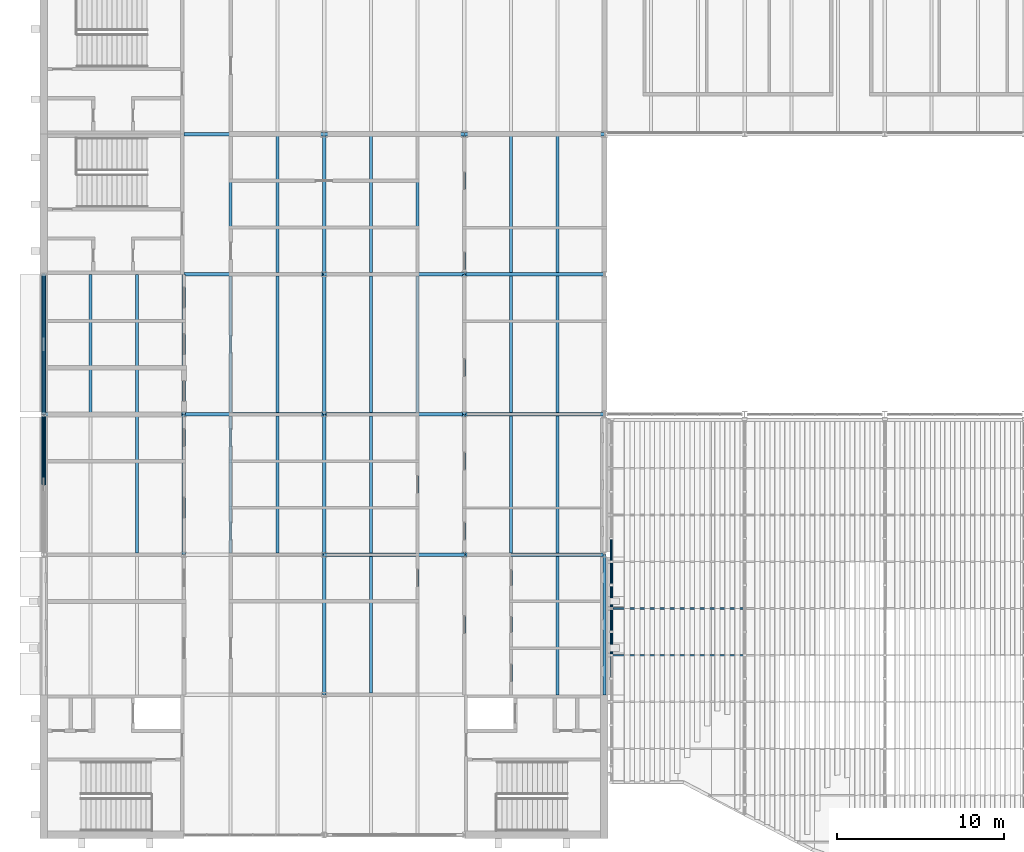
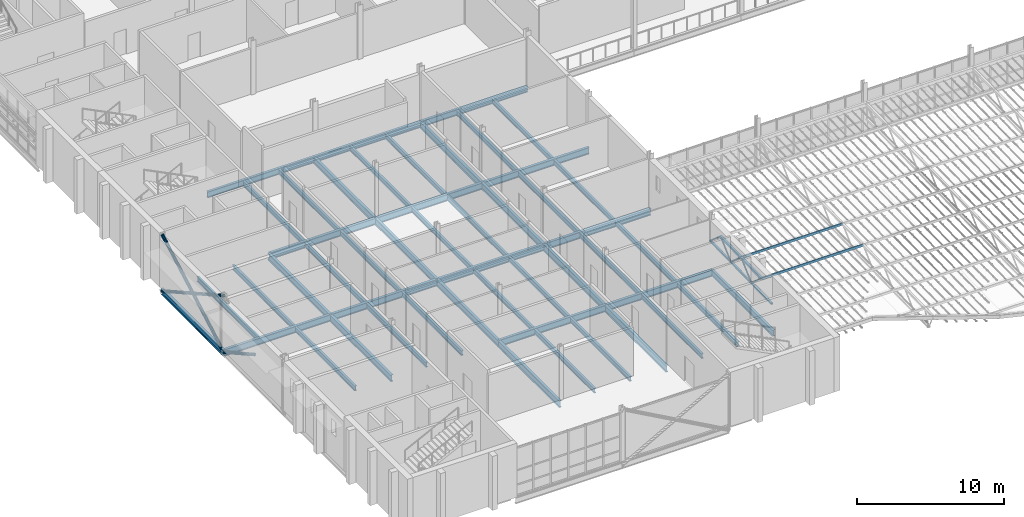
# One storey, part 16 of 129: 49 beams, 16 members.
"""IFC4 building model written with IfcOpenShell, lengths in metres."""

from ifc_helpers import new_model, si_unit, direction, frame, origin, origin_2d, place, context, subcontext, project, spatial, hollow_rectangle, hollow_circle, i_section, extrude, material, material_profile, profile_set, type_object, element, save


model = new_model("IFC4")

# Units and contexts
model_context = context("Model", 3, precision=1e-05, world=origin(), true_north=direction((0.0, 1.0)))
body_context = subcontext(model_context, "Body", "Model", "MODEL_VIEW")
ifc_project = project(units=[si_unit("LENGTHUNIT", "METRE"), si_unit("AREAUNIT", "SQUARE_METRE"), si_unit("VOLUMEUNIT", "CUBIC_METRE"), si_unit("PLANEANGLEUNIT", "RADIAN"), si_unit("MASSUNIT", "GRAM", prefix="KILO")], contexts=[model_context])

# Site, building, storey
site_placement = place(None, origin())
site = spatial("IfcSite", under=ifc_project, at=site_placement, CompositionType="ELEMENT")
building_placement = place(site_placement, origin())
building = spatial("IfcBuilding", under=site, at=building_placement, Name="Ardhachandra Cancer Care Centre", CompositionType="ELEMENT")
storey_placement = place(building_placement, frame((0.0, 0.0, 4.5)))
storey = spatial("IfcBuildingStorey", under=building, at=storey_placement, Name="L01", CompositionType="ELEMENT", Elevation=4.5)

# Beams
ifc_material_1 = material(Name="Steel E350 (IS 2062)", Category="steel")
ifc_material_profile_1 = material_profile(ifc_material_1, i_section(OverallWidth=0.179931640625, OverallDepth=0.39990234375, WebThickness=0.008544921875, FlangeThickness=0.013427734375, FilletRadius=0.02099609375, at=origin_2d()), Name="NPB 400x180x66.30")
ifc_profile_set_1 = profile_set([ifc_material_profile_1], Name="Steel E350 (IS 2062)")
beam_type_1 = type_object("IfcBeamType", Name="Beam NPB 400x180x66.30", PredefinedType="BEAM", material=ifc_profile_set_1)
beam_1_placement = place(storey_placement, frame((13.60009765625, 54.705078125, -0.35009765625), z_axis=(0.0, 1.0, 0.0), x_axis=(-1.0, 0.0, 0.0)))
element("IfcBeam", 1, at=beam_1_placement, inside=storey, type_object=beam_type_1, Name="Secondary F1-G1@2800", PredefinedType="BEAM", context=body_context, shape_type="SweptSolid", body=[
    extrude(i_section(OverallWidth=0.179931640625, OverallDepth=0.39990234375, WebThickness=0.008544921875, FlangeThickness=0.013427734375, FilletRadius=0.02099609375, at=origin_2d()), origin(), (0.0, 0.0, 1.0), 8.294921875),
])
beam_2_placement = place(storey_placement, frame((16.39990234375, 46.304931640625, -0.35009765625), z_axis=(0.0, 1.0, 0.0), x_axis=(-1.0, 0.0, 0.0)))
element("IfcBeam", 2, at=beam_2_placement, inside=storey, type_object=beam_type_1, Name="Secondary E1-F1@5600", PredefinedType="BEAM", context=body_context, shape_type="SweptSolid", body=[
    extrude(i_section(OverallWidth=0.179931640625, OverallDepth=0.39990234375, WebThickness=0.008544921875, FlangeThickness=0.013427734375, FilletRadius=0.02099609375, at=origin_2d()), origin(), (0.0, 0.0, 1.0), 8.190185546875),
])
beam_3_placement = place(storey_placement, frame((16.39990234375, 54.705078125, -0.35009765625), z_axis=(0.0, 1.0, 0.0), x_axis=(-1.0, 0.0, 0.0)))
element("IfcBeam", 3, at=beam_3_placement, inside=storey, type_object=beam_type_1, Name="Secondary F1-G1@5600", PredefinedType="BEAM", context=body_context, shape_type="SweptSolid", body=[
    extrude(i_section(OverallWidth=0.179931640625, OverallDepth=0.39990234375, WebThickness=0.008544921875, FlangeThickness=0.013427734375, FilletRadius=0.02099609375, at=origin_2d()), origin(), (0.0, 0.0, 1.0), 8.294921875),
])
beam_4_placement = place(storey_placement, frame((22.0, 46.304931640625, -0.35009765625), z_axis=(0.0, 1.0, 0.0), x_axis=(-1.0, 0.0, 0.0)))
element("IfcBeam", 4, at=beam_4_placement, inside=storey, type_object=beam_type_1, Name="Secondary E2-F2@2800", PredefinedType="BEAM", context=body_context, shape_type="SweptSolid", body=[
    extrude(i_section(OverallWidth=0.179931640625, OverallDepth=0.39990234375, WebThickness=0.008544921875, FlangeThickness=0.013427734375, FilletRadius=0.02099609375, at=origin_2d()), origin(), (0.0, 0.0, 1.0), 8.190185546875),
])
beam_5_placement = place(storey_placement, frame((22.0, 54.705078125, -0.35009765625), z_axis=(0.0, 1.0, 0.0), x_axis=(-1.0, 0.0, 0.0)))
element("IfcBeam", 5, at=beam_5_placement, inside=storey, type_object=beam_type_1, Name="Secondary F2-G2@2800", PredefinedType="BEAM", context=body_context, shape_type="SweptSolid", body=[
    extrude(i_section(OverallWidth=0.179931640625, OverallDepth=0.39990234375, WebThickness=0.008544921875, FlangeThickness=0.013427734375, FilletRadius=0.02099609375, at=origin_2d()), origin(), (0.0, 0.0, 1.0), 8.18994140625),
])
beam_6_placement = place(storey_placement, frame((22.0, 63.10498046875, -0.35009765625), z_axis=(0.0, 1.0, 0.0), x_axis=(-1.0, 0.0, 0.0)))
element("IfcBeam", 6, at=beam_6_placement, inside=storey, type_object=beam_type_1, Name="Secondary G2-H2@2800", PredefinedType="BEAM", context=body_context, shape_type="SweptSolid", body=[
    extrude(i_section(OverallWidth=0.179931640625, OverallDepth=0.39990234375, WebThickness=0.008544921875, FlangeThickness=0.013427734375, FilletRadius=0.02099609375, at=origin_2d()), origin(), (0.0, 0.0, 1.0), 8.195068359375),
])
beam_7_placement = place(storey_placement, frame((24.800048828125, 46.304931640625, -0.35009765625), z_axis=(0.0, 1.0, 0.0), x_axis=(-1.0, 0.0, 0.0)))
element("IfcBeam", 7, at=beam_7_placement, inside=storey, type_object=beam_type_1, Name="Secondary E2-F2@5600", PredefinedType="BEAM", context=body_context, shape_type="SweptSolid", body=[
    extrude(i_section(OverallWidth=0.179931640625, OverallDepth=0.39990234375, WebThickness=0.008544921875, FlangeThickness=0.013427734375, FilletRadius=0.02099609375, at=origin_2d()), origin(), (0.0, 0.0, 1.0), 8.190185546875),
])
beam_8_placement = place(storey_placement, frame((24.800048828125, 54.705078125, -0.35009765625), z_axis=(0.0, 1.0, 0.0), x_axis=(-1.0, 0.0, 0.0)))
element("IfcBeam", 8, at=beam_8_placement, inside=storey, type_object=beam_type_1, Name="Secondary F2-G2@5600", PredefinedType="BEAM", context=body_context, shape_type="SweptSolid", body=[
    extrude(i_section(OverallWidth=0.179931640625, OverallDepth=0.39990234375, WebThickness=0.008544921875, FlangeThickness=0.013427734375, FilletRadius=0.02099609375, at=origin_2d()), origin(), (0.0, 0.0, 1.0), 8.18994140625),
])
beam_9_placement = place(storey_placement, frame((24.800048828125, 63.10498046875, -0.35009765625), z_axis=(0.0, 1.0, 0.0), x_axis=(-1.0, 0.0, 0.0)))
element("IfcBeam", 9, at=beam_9_placement, inside=storey, type_object=beam_type_1, Name="Secondary G2-H2@5600", PredefinedType="BEAM", context=body_context, shape_type="SweptSolid", body=[
    extrude(i_section(OverallWidth=0.179931640625, OverallDepth=0.39990234375, WebThickness=0.008544921875, FlangeThickness=0.013427734375, FilletRadius=0.02099609375, at=origin_2d()), origin(), (0.0, 0.0, 1.0), 8.195068359375),
])
beam_10_placement = place(storey_placement, frame((30.39990234375, 37.905029296875, -0.35009765625), z_axis=(0.0, 1.0, 0.0), x_axis=(-1.0, 0.0, 0.0)))
element("IfcBeam", 10, at=beam_10_placement, inside=storey, type_object=beam_type_1, Name="Secondary D3-E3@2800", PredefinedType="BEAM", context=body_context, shape_type="SweptSolid", body=[
    extrude(i_section(OverallWidth=0.179931640625, OverallDepth=0.39990234375, WebThickness=0.008544921875, FlangeThickness=0.013427734375, FilletRadius=0.02099609375, at=origin_2d()), origin(), (0.0, 0.0, 1.0), 8.18994140625),
])
beam_11_placement = place(storey_placement, frame((30.39990234375, 46.304931640625, -0.35009765625), z_axis=(0.0, 1.0, 0.0), x_axis=(-1.0, 0.0, 0.0)))
element("IfcBeam", 11, at=beam_11_placement, inside=storey, type_object=beam_type_1, Name="Secondary E3-F3@2800", PredefinedType="BEAM", context=body_context, shape_type="SweptSolid", body=[
    extrude(i_section(OverallWidth=0.179931640625, OverallDepth=0.39990234375, WebThickness=0.008544921875, FlangeThickness=0.013427734375, FilletRadius=0.02099609375, at=origin_2d()), origin(), (0.0, 0.0, 1.0), 8.190185546875),
])
beam_12_placement = place(storey_placement, frame((30.39990234375, 54.705078125, -0.35009765625), z_axis=(0.0, 1.0, 0.0), x_axis=(-1.0, 0.0, 0.0)))
element("IfcBeam", 12, at=beam_12_placement, inside=storey, type_object=beam_type_1, Name="Secondary F3-G3@2800", PredefinedType="BEAM", context=body_context, shape_type="SweptSolid", body=[
    extrude(i_section(OverallWidth=0.179931640625, OverallDepth=0.39990234375, WebThickness=0.008544921875, FlangeThickness=0.013427734375, FilletRadius=0.02099609375, at=origin_2d()), origin(), (0.0, 0.0, 1.0), 8.18994140625),
])
beam_13_placement = place(storey_placement, frame((30.39990234375, 63.10498046875, -0.35009765625), z_axis=(0.0, 1.0, 0.0), x_axis=(-1.0, 0.0, 0.0)))
element("IfcBeam", 13, at=beam_13_placement, inside=storey, type_object=beam_type_1, Name="Secondary G3-H3@2800", PredefinedType="BEAM", context=body_context, shape_type="SweptSolid", body=[
    extrude(i_section(OverallWidth=0.179931640625, OverallDepth=0.39990234375, WebThickness=0.008544921875, FlangeThickness=0.013427734375, FilletRadius=0.02099609375, at=origin_2d()), origin(), (0.0, 0.0, 1.0), 8.195068359375),
])
beam_14_placement = place(storey_placement, frame((33.199951171875, 37.905029296875, -0.35009765625), z_axis=(0.0, 1.0, 0.0), x_axis=(-1.0, 0.0, 0.0)))
element("IfcBeam", 14, at=beam_14_placement, inside=storey, type_object=beam_type_1, Name="Secondary D3-E3@5600", PredefinedType="BEAM", context=body_context, shape_type="SweptSolid", body=[
    extrude(i_section(OverallWidth=0.179931640625, OverallDepth=0.39990234375, WebThickness=0.008544921875, FlangeThickness=0.013427734375, FilletRadius=0.02099609375, at=origin_2d()), origin(), (0.0, 0.0, 1.0), 8.18994140625),
])
beam_15_placement = place(storey_placement, frame((33.199951171875, 46.304931640625, -0.35009765625), z_axis=(0.0, 1.0, 0.0), x_axis=(-1.0, 0.0, 0.0)))
element("IfcBeam", 15, at=beam_15_placement, inside=storey, type_object=beam_type_1, Name="Secondary E3-F3@5600", PredefinedType="BEAM", context=body_context, shape_type="SweptSolid", body=[
    extrude(i_section(OverallWidth=0.179931640625, OverallDepth=0.39990234375, WebThickness=0.008544921875, FlangeThickness=0.013427734375, FilletRadius=0.02099609375, at=origin_2d()), origin(), (0.0, 0.0, 1.0), 8.190185546875),
])
beam_16_placement = place(storey_placement, frame((33.199951171875, 54.705078125, -0.35009765625), z_axis=(0.0, 1.0, 0.0), x_axis=(-1.0, 0.0, 0.0)))
element("IfcBeam", 16, at=beam_16_placement, inside=storey, type_object=beam_type_1, Name="Secondary F3-G3@5600", PredefinedType="BEAM", context=body_context, shape_type="SweptSolid", body=[
    extrude(i_section(OverallWidth=0.179931640625, OverallDepth=0.39990234375, WebThickness=0.008544921875, FlangeThickness=0.013427734375, FilletRadius=0.02099609375, at=origin_2d()), origin(), (0.0, 0.0, 1.0), 8.18994140625),
])
beam_17_placement = place(storey_placement, frame((33.199951171875, 63.10498046875, -0.35009765625), z_axis=(0.0, 1.0, 0.0), x_axis=(-1.0, 0.0, 0.0)))
element("IfcBeam", 17, at=beam_17_placement, inside=storey, type_object=beam_type_1, Name="Secondary G3-H3@5600", PredefinedType="BEAM", context=body_context, shape_type="SweptSolid", body=[
    extrude(i_section(OverallWidth=0.179931640625, OverallDepth=0.39990234375, WebThickness=0.008544921875, FlangeThickness=0.013427734375, FilletRadius=0.02099609375, at=origin_2d()), origin(), (0.0, 0.0, 1.0), 8.195068359375),
])
beam_18_placement = place(storey_placement, frame((38.800048828125, 37.800048828125, -0.35009765625), z_axis=(0.0, 1.0, 0.0), x_axis=(-1.0, 0.0, 0.0)))
element("IfcBeam", 18, at=beam_18_placement, inside=storey, type_object=beam_type_1, Name="Secondary D4-E4@2800", PredefinedType="BEAM", context=body_context, shape_type="SweptSolid", body=[
    extrude(i_section(OverallWidth=0.179931640625, OverallDepth=0.39990234375, WebThickness=0.008544921875, FlangeThickness=0.013427734375, FilletRadius=0.02099609375, at=origin_2d()), origin(), (0.0, 0.0, 1.0), 8.294921875),
])
beam_19_placement = place(storey_placement, frame((38.800048828125, 46.304931640625, -0.35009765625), z_axis=(0.0, 1.0, 0.0), x_axis=(-1.0, 0.0, 0.0)))
element("IfcBeam", 19, at=beam_19_placement, inside=storey, type_object=beam_type_1, Name="Secondary E4-F4@2800", PredefinedType="BEAM", context=body_context, shape_type="SweptSolid", body=[
    extrude(i_section(OverallWidth=0.179931640625, OverallDepth=0.39990234375, WebThickness=0.008544921875, FlangeThickness=0.013427734375, FilletRadius=0.02099609375, at=origin_2d()), origin(), (0.0, 0.0, 1.0), 8.190185546875),
])
beam_20_placement = place(storey_placement, frame((38.800048828125, 54.705078125, -0.35009765625), z_axis=(0.0, 1.0, 0.0), x_axis=(-1.0, 0.0, 0.0)))
element("IfcBeam", 20, at=beam_20_placement, inside=storey, type_object=beam_type_1, Name="Secondary F4-G4@2800", PredefinedType="BEAM", context=body_context, shape_type="SweptSolid", body=[
    extrude(i_section(OverallWidth=0.179931640625, OverallDepth=0.39990234375, WebThickness=0.008544921875, FlangeThickness=0.013427734375, FilletRadius=0.02099609375, at=origin_2d()), origin(), (0.0, 0.0, 1.0), 8.18994140625),
])
beam_21_placement = place(storey_placement, frame((38.800048828125, 63.10498046875, -0.35009765625), z_axis=(0.0, 1.0, 0.0), x_axis=(-1.0, 0.0, 0.0)))
element("IfcBeam", 21, at=beam_21_placement, inside=storey, type_object=beam_type_1, Name="Secondary G4-H4@2800", PredefinedType="BEAM", context=body_context, shape_type="SweptSolid", body=[
    extrude(i_section(OverallWidth=0.179931640625, OverallDepth=0.39990234375, WebThickness=0.008544921875, FlangeThickness=0.013427734375, FilletRadius=0.02099609375, at=origin_2d()), origin(), (0.0, 0.0, 1.0), 8.195068359375),
])
beam_22_placement = place(storey_placement, frame((41.60009765625, 37.800048828125, -0.35009765625), z_axis=(0.0, 1.0, 0.0), x_axis=(-1.0, 0.0, 0.0)))
element("IfcBeam", 22, at=beam_22_placement, inside=storey, type_object=beam_type_1, Name="Secondary D4-E4@5600", PredefinedType="BEAM", context=body_context, shape_type="SweptSolid", body=[
    extrude(i_section(OverallWidth=0.179931640625, OverallDepth=0.39990234375, WebThickness=0.008544921875, FlangeThickness=0.013427734375, FilletRadius=0.02099609375, at=origin_2d()), origin(), (0.0, 0.0, 1.0), 8.294921875),
])
beam_23_placement = place(storey_placement, frame((41.60009765625, 46.304931640625, -0.35009765625), z_axis=(0.0, 1.0, 0.0), x_axis=(-1.0, 0.0, 0.0)))
element("IfcBeam", 23, at=beam_23_placement, inside=storey, type_object=beam_type_1, Name="Secondary E4-F4@5600", PredefinedType="BEAM", context=body_context, shape_type="SweptSolid", body=[
    extrude(i_section(OverallWidth=0.179931640625, OverallDepth=0.39990234375, WebThickness=0.008544921875, FlangeThickness=0.013427734375, FilletRadius=0.02099609375, at=origin_2d()), origin(), (0.0, 0.0, 1.0), 8.190185546875),
])
beam_24_placement = place(storey_placement, frame((41.60009765625, 54.705078125, -0.35009765625), z_axis=(0.0, 1.0, 0.0), x_axis=(-1.0, 0.0, 0.0)))
element("IfcBeam", 24, at=beam_24_placement, inside=storey, type_object=beam_type_1, Name="Secondary F4-G4@5600", PredefinedType="BEAM", context=body_context, shape_type="SweptSolid", body=[
    extrude(i_section(OverallWidth=0.179931640625, OverallDepth=0.39990234375, WebThickness=0.008544921875, FlangeThickness=0.013427734375, FilletRadius=0.02099609375, at=origin_2d()), origin(), (0.0, 0.0, 1.0), 8.18994140625),
])
beam_25_placement = place(storey_placement, frame((41.60009765625, 63.10498046875, -0.35009765625), z_axis=(0.0, 1.0, 0.0), x_axis=(-1.0, 0.0, 0.0)))
element("IfcBeam", 25, at=beam_25_placement, inside=storey, type_object=beam_type_1, Name="Secondary G4-H4@5600", PredefinedType="BEAM", context=body_context, shape_type="SweptSolid", body=[
    extrude(i_section(OverallWidth=0.179931640625, OverallDepth=0.39990234375, WebThickness=0.008544921875, FlangeThickness=0.013427734375, FilletRadius=0.02099609375, at=origin_2d()), origin(), (0.0, 0.0, 1.0), 8.195068359375),
])
ifc_material_2 = material(Name="Steel E350 (IS 2062)", Category="steel")
ifc_material_profile_2 = material_profile(ifc_material_2, i_section(OverallWidth=0.199951171875, OverallDepth=0.5, WebThickness=0.01025390625, FlangeThickness=0.01611328125, FilletRadius=0.02099609375, at=origin_2d()), Name="NPB 500x200x90.68")
ifc_profile_set_2 = profile_set([ifc_material_profile_2], Name="Steel E350 (IS 2062)")
beam_type_2 = type_object("IfcBeamType", Name="Beam NPB 500x200x90.68", PredefinedType="BEAM", material=ifc_profile_set_2)
beam_26_placement = place(storey_placement, frame((19.199951171875, 71.39990234375, -0.39990234375), z_axis=(1.0, 0.0, 0.0), x_axis=(0.0, 1.0, 0.0)))
element("IfcBeam", 26, at=beam_26_placement, inside=storey, type_object=beam_type_2, Name="Edge girder H2-H3", PredefinedType="BEAM", context=body_context, shape_type="SweptSolid", body=[
    extrude(i_section(OverallWidth=0.199951171875, OverallDepth=0.5, WebThickness=0.01025390625, FlangeThickness=0.01611328125, FilletRadius=0.02099609375, at=origin_2d()), origin(), (0.0, 0.0, 1.0), 8.400146484375),
])
for number, where, z_axis, x_axis, name in (
    (27, (27.60009765625, 71.39990234375, -0.39990234375), (1.0, 0.0, 0.0), (0.0, 1.0, 0.0), "Edge girder H3-H4"),
    (28, (36.0, 71.39990234375, -0.39990234375), (1.0, 0.0, 0.0), (0.0, 1.0, 0.0), "Edge girder H4-H5"),
    (29, (10.800048828125, 54.60009765625, -0.39990234375), (0.0, 1.0, 0.0), (-1.0, 0.0, 0.0), "Edge girder F1-G1"),
    (30, (44.39990234375, 37.800048828125, -0.39990234375), (0.0, 1.0, 0.0), (-1.0, 0.0, 0.0), "Edge girder D5-E5"),
):
    element("IfcBeam", number, at=place(storey_placement, frame(where, z_axis=z_axis, x_axis=x_axis)), inside=storey, type_object=beam_type_2, Name=name, PredefinedType="BEAM", context=body_context, shape_type="SweptSolid", body=[
        extrude(i_section(OverallWidth=0.199951171875, OverallDepth=0.5, WebThickness=0.01025390625, FlangeThickness=0.01611328125, FilletRadius=0.02099609375, at=origin_2d()), origin(), (0.0, 0.0, 1.0), 8.39990234375),
    ])
ifc_material_3 = material(Name="Steel E350 (IS 2062)", Category="steel")
ifc_material_profile_3 = material_profile(ifc_material_3, i_section(OverallWidth=0.2099609375, OverallDepth=0.550048828125, WebThickness=0.010986328125, FlangeThickness=0.01708984375, FilletRadius=0.02392578125, at=origin_2d()), Name="NPB 550x210x105.52")
ifc_profile_set_3 = profile_set([ifc_material_profile_3], Name="Steel E350 (IS 2062)")
beam_type_3 = type_object("IfcBeamType", Name="Beam NPB 550x210x105.52", PredefinedType="BEAM", material=ifc_profile_set_3)
for number, where, z_axis, x_axis, name in (
    (31, (27.60009765625, 46.199951171875, -0.425048828125), (1.0, 0.0, 0.0), (0.0, 1.0, 0.0), "Girder E3-E4"),
    (32, (36.0, 46.199951171875, -0.425048828125), (1.0, 0.0, 0.0), (0.0, 1.0, 0.0), "Girder E4-E5"),
    (33, (10.800048828125, 54.60009765625, -0.425048828125), (1.0, 0.0, 0.0), (0.0, 1.0, 0.0), "Girder F1-F2"),
):
    element("IfcBeam", number, at=place(storey_placement, frame(where, z_axis=z_axis, x_axis=x_axis)), inside=storey, type_object=beam_type_3, Name=name, PredefinedType="BEAM", context=body_context, shape_type="SweptSolid", body=[
        extrude(i_section(OverallWidth=0.2099609375, OverallDepth=0.550048828125, WebThickness=0.010986328125, FlangeThickness=0.01708984375, FilletRadius=0.02392578125, at=origin_2d()), origin(), (0.0, 0.0, 1.0), 8.39990234375),
    ])
beam_27_placement = place(storey_placement, frame((19.199951171875, 54.60009765625, -0.425048828125), z_axis=(1.0, 0.0, 0.0), x_axis=(0.0, 1.0, 0.0)))
element("IfcBeam", 34, at=beam_27_placement, inside=storey, type_object=beam_type_3, Name="Girder F2-F3", PredefinedType="BEAM", context=body_context, shape_type="SweptSolid", body=[
    extrude(i_section(OverallWidth=0.2099609375, OverallDepth=0.550048828125, WebThickness=0.010986328125, FlangeThickness=0.01708984375, FilletRadius=0.02392578125, at=origin_2d()), origin(), (0.0, 0.0, 1.0), 8.400146484375),
])
for number, where, z_axis, x_axis, name in (
    (35, (27.60009765625, 54.60009765625, -0.425048828125), (1.0, 0.0, 0.0), (0.0, 1.0, 0.0), "Girder F3-F4"),
    (36, (36.0, 54.60009765625, -0.425048828125), (1.0, 0.0, 0.0), (0.0, 1.0, 0.0), "Girder F4-F5"),
):
    element("IfcBeam", number, at=place(storey_placement, frame(where, z_axis=z_axis, x_axis=x_axis)), inside=storey, type_object=beam_type_3, Name=name, PredefinedType="BEAM", context=body_context, shape_type="SweptSolid", body=[
        extrude(i_section(OverallWidth=0.2099609375, OverallDepth=0.550048828125, WebThickness=0.010986328125, FlangeThickness=0.01708984375, FilletRadius=0.02392578125, at=origin_2d()), origin(), (0.0, 0.0, 1.0), 8.39990234375),
    ])
beam_28_placement = place(storey_placement, frame((19.199951171875, 63.0, -0.425048828125), z_axis=(1.0, 0.0, 0.0), x_axis=(0.0, 1.0, 0.0)))
element("IfcBeam", 37, at=beam_28_placement, inside=storey, type_object=beam_type_3, Name="Girder G2-G3", PredefinedType="BEAM", context=body_context, shape_type="SweptSolid", body=[
    extrude(i_section(OverallWidth=0.2099609375, OverallDepth=0.550048828125, WebThickness=0.010986328125, FlangeThickness=0.01708984375, FilletRadius=0.02392578125, at=origin_2d()), origin(), (0.0, 0.0, 1.0), 8.400146484375),
])
for number, where, z_axis, x_axis, name in (
    (38, (27.60009765625, 63.0, -0.425048828125), (1.0, 0.0, 0.0), (0.0, 1.0, 0.0), "Girder G3-G4"),
    (39, (36.0, 63.0, -0.425048828125), (1.0, 0.0, 0.0), (0.0, 1.0, 0.0), "Girder G4-G5"),
):
    element("IfcBeam", number, at=place(storey_placement, frame(where, z_axis=z_axis, x_axis=x_axis)), inside=storey, type_object=beam_type_3, Name=name, PredefinedType="BEAM", context=body_context, shape_type="SweptSolid", body=[
        extrude(i_section(OverallWidth=0.2099609375, OverallDepth=0.550048828125, WebThickness=0.010986328125, FlangeThickness=0.01708984375, FilletRadius=0.02392578125, at=origin_2d()), origin(), (0.0, 0.0, 1.0), 8.39990234375),
    ])
beam_29_placement = place(storey_placement, frame((19.199951171875, 46.199951171875, -0.425048828125), z_axis=(0.0, 1.0, 0.0), x_axis=(-1.0, 0.0, 0.0)))
element("IfcBeam", 40, at=beam_29_placement, inside=storey, type_object=beam_type_3, Name="Girder E2-F2", PredefinedType="BEAM", context=body_context, shape_type="SweptSolid", body=[
    extrude(i_section(OverallWidth=0.2099609375, OverallDepth=0.550048828125, WebThickness=0.010986328125, FlangeThickness=0.01708984375, FilletRadius=0.02392578125, at=origin_2d()), origin(), (0.0, 0.0, 1.0), 8.400146484375),
])
for number, where, z_axis, x_axis, name in (
    (41, (19.199951171875, 54.60009765625, -0.425048828125), (0.0, 1.0, 0.0), (-1.0, 0.0, 0.0), "Girder F2-G2"),
    (42, (27.60009765625, 37.800048828125, -0.425048828125), (0.0, 1.0, 0.0), (-1.0, 0.0, 0.0), "Girder D3-E3"),
):
    element("IfcBeam", number, at=place(storey_placement, frame(where, z_axis=z_axis, x_axis=x_axis)), inside=storey, type_object=beam_type_3, Name=name, PredefinedType="BEAM", context=body_context, shape_type="SweptSolid", body=[
        extrude(i_section(OverallWidth=0.2099609375, OverallDepth=0.550048828125, WebThickness=0.010986328125, FlangeThickness=0.01708984375, FilletRadius=0.02392578125, at=origin_2d()), origin(), (0.0, 0.0, 1.0), 8.39990234375),
    ])
beam_30_placement = place(storey_placement, frame((27.60009765625, 46.199951171875, -0.425048828125), z_axis=(0.0, 1.0, 0.0), x_axis=(-1.0, 0.0, 0.0)))
element("IfcBeam", 43, at=beam_30_placement, inside=storey, type_object=beam_type_3, Name="Girder E3-F3", PredefinedType="BEAM", context=body_context, shape_type="SweptSolid", body=[
    extrude(i_section(OverallWidth=0.2099609375, OverallDepth=0.550048828125, WebThickness=0.010986328125, FlangeThickness=0.01708984375, FilletRadius=0.02392578125, at=origin_2d()), origin(), (0.0, 0.0, 1.0), 8.400146484375),
])
for number, where, z_axis, x_axis, name in (
    (44, (27.60009765625, 54.60009765625, -0.425048828125), (0.0, 1.0, 0.0), (-1.0, 0.0, 0.0), "Girder F3-G3"),
    (45, (27.60009765625, 63.0, -0.425048828125), (0.0, 1.0, 0.0), (-1.0, 0.0, 0.0), "Girder G3-H3"),
    (46, (36.0, 37.800048828125, -0.425048828125), (0.0, 1.0, 0.0), (-1.0, 0.0, 0.0), "Girder D4-E4"),
):
    element("IfcBeam", number, at=place(storey_placement, frame(where, z_axis=z_axis, x_axis=x_axis)), inside=storey, type_object=beam_type_3, Name=name, PredefinedType="BEAM", context=body_context, shape_type="SweptSolid", body=[
        extrude(i_section(OverallWidth=0.2099609375, OverallDepth=0.550048828125, WebThickness=0.010986328125, FlangeThickness=0.01708984375, FilletRadius=0.02392578125, at=origin_2d()), origin(), (0.0, 0.0, 1.0), 8.39990234375),
    ])
beam_31_placement = place(storey_placement, frame((36.0, 46.199951171875, -0.425048828125), z_axis=(0.0, 1.0, 0.0), x_axis=(-1.0, 0.0, 0.0)))
element("IfcBeam", 47, at=beam_31_placement, inside=storey, type_object=beam_type_3, Name="Girder E4-F4", PredefinedType="BEAM", context=body_context, shape_type="SweptSolid", body=[
    extrude(i_section(OverallWidth=0.2099609375, OverallDepth=0.550048828125, WebThickness=0.010986328125, FlangeThickness=0.01708984375, FilletRadius=0.02392578125, at=origin_2d()), origin(), (0.0, 0.0, 1.0), 8.400146484375),
])
for number, where, z_axis, x_axis, name in (
    (48, (36.0, 54.60009765625, -0.425048828125), (0.0, 1.0, 0.0), (-1.0, 0.0, 0.0), "Girder F4-G4"),
    (49, (36.0, 63.0, -0.425048828125), (0.0, 1.0, 0.0), (-1.0, 0.0, 0.0), "Girder G4-H4"),
):
    element("IfcBeam", number, at=place(storey_placement, frame(where, z_axis=z_axis, x_axis=x_axis)), inside=storey, type_object=beam_type_3, Name=name, PredefinedType="BEAM", context=body_context, shape_type="SweptSolid", body=[
        extrude(i_section(OverallWidth=0.2099609375, OverallDepth=0.550048828125, WebThickness=0.010986328125, FlangeThickness=0.01708984375, FilletRadius=0.02392578125, at=origin_2d()), origin(), (0.0, 0.0, 1.0), 8.39990234375),
    ])

# Members
ifc_material_4 = material(Name="Steel E350 (IS 2062)", Category="steel")
ifc_material_profile_4 = material_profile(ifc_material_4, hollow_circle(Radius=0.122314453125, WallThickness=0.010009765625, at=origin_2d()), Name="CHS 244.5x10.0")
ifc_profile_set_4 = profile_set([ifc_material_profile_4], Name="Steel E350 (IS 2062)")
member_type_1 = type_object("IfcMemberType", Name="Brace CHS 244.5x10.0", PredefinedType="BRACE", material=ifc_profile_set_4)
member_1_placement = place(storey_placement, frame((10.800048828125, 54.60009765625, -0.39990234375), z_axis=(0.0, -0.872705761291, 0.488246509674), x_axis=(1.0, 0.0, 0.0)))
element("IfcMember", 50, at=member_1_placement, inside=storey, type_object=member_type_1, Name="Brace V2-Y108-462 L01 B1", PredefinedType="BRACE", context=body_context, shape_type="SweptSolid", body=[
    extrude(hollow_circle(Radius=0.122314453125, WallThickness=0.010009765625, at=origin_2d()), origin(), (0.0, 0.0, 1.0), 4.812744140625),
])
member_2_placement = place(storey_placement, frame((10.800048828125, 54.60009765625, -0.39990234375), z_axis=(0.0, 0.872682859829, 0.488287442149), x_axis=(-1.0, 0.0, 0.0)))
element("IfcMember", 51, at=member_2_placement, inside=storey, type_object=member_type_1, Name="Brace V2-Y108-546 L01 A", PredefinedType="BRACE", context=body_context, shape_type="SweptSolid", body=[
    extrude(hollow_circle(Radius=0.122314453125, WallThickness=0.010009765625, at=origin_2d()), origin(), (0.0, 0.0, 1.0), 9.62548828125),
])
for number, where, z_axis, x_axis, name in (
    (52, (10.800048828125, 63.0, -0.39990234375), (0.0, -0.872693667971, 0.488268124991), (1.0, 0.0, 0.0), "Brace V2-Y108-546 L01 B1"),
    (53, (10.800048828125, 58.800048828125, 1.949951171875), (0.0, -0.872672051527, 0.488306758589), (1.0, 0.0, 0.0), "Brace V2-Y108-546 L01 B2"),
):
    element("IfcMember", number, at=place(storey_placement, frame(where, z_axis=z_axis, x_axis=x_axis)), inside=storey, type_object=member_type_1, Name=name, PredefinedType="BRACE", context=body_context, shape_type="SweptSolid", body=[
        extrude(hollow_circle(Radius=0.122314453125, WallThickness=0.010009765625, at=origin_2d()), origin(), (0.0, 0.0, 1.0), 4.812744140625),
    ])
ifc_material_5 = material(Name="Steel E350 (IS 2062)", Category="steel")
ifc_material_profile_5 = material_profile(ifc_material_5, hollow_rectangle(XDim=0.10009765625, YDim=0.199951171875, WallThickness=0.006103515625, InnerFilletRadius=0.006103515625, OuterFilletRadius=0.011962890625, at=origin_2d()), Name="RHS 200x100x6.0")
ifc_profile_set_5 = profile_set([ifc_material_profile_5], Name="Steel E350 (IS 2062)")
member_type_2 = type_object("IfcMemberType", Name="Canopy purlin RHS 200x100x6.0", PredefinedType="PURLIN", material=ifc_profile_set_5)
for number, where, z_axis, x_axis, name in (
    (54, (44.81494140625, 42.97509765625, 2.619384765625), (1.0, 0.0, 0.0), (0.0, 1.0, 0.0), "Canopy purlin 4-1"),
    (55, (44.81494140625, 40.175048828125, 2.5634765625), (1.0, 0.0, 0.0), (0.0, 1.0, 0.0), "Canopy purlin 5-1"),
):
    element("IfcMember", number, at=place(storey_placement, frame(where, z_axis=z_axis, x_axis=x_axis)), inside=storey, type_object=member_type_2, Name=name, PredefinedType="PURLIN", context=body_context, shape_type="SweptSolid", body=[
        extrude(hollow_rectangle(XDim=0.10009765625, YDim=0.199951171875, WallThickness=0.006103515625, InnerFilletRadius=0.006103515625, OuterFilletRadius=0.011962890625, at=origin_2d()), origin(), (0.0, 0.0, 1.0), 7.985107421875),
    ])
ifc_material_6 = material(Name="Steel E350 (IS 2062)", Category="steel")
ifc_material_profile_6 = material_profile(ifc_material_6, hollow_rectangle(XDim=0.14990234375, YDim=0.14990234375, WallThickness=0.006103515625, InnerFilletRadius=0.006103515625, OuterFilletRadius=0.011962890625, at=origin_2d()), Name="SHS 150x150x6.0")
ifc_profile_set_6 = profile_set([ifc_material_profile_6], Name="Steel E350 (IS 2062)")
member_type_3 = type_object("IfcMemberType", Name="Canopy truss bottom chord SHS 150x150x6.0", PredefinedType="CHORD", material=ifc_profile_set_6)
for number, where, z_axis, x_axis, name in (
    (56, (44.81494140625, 47.175048828125, 1.478515625), (0.0, -0.999800721691, -0.019962888244), (1.0, 0.0, 0.0), "Canopy truss 1 bottom chord BC12"),
    (57, (44.81494140625, 44.375, 1.422607421875), (0.0, -0.999798977995, -0.02005002746), (1.0, 0.0, 0.0), "Canopy truss 1 bottom chord BC13"),
    (58, (44.81494140625, 41.574951171875, 1.366455078125), (0.0, -0.999800721691, -0.019962888244), (1.0, 0.0, 0.0), "Canopy truss 1 bottom chord BC14"),
):
    element("IfcMember", number, at=place(storey_placement, frame(where, z_axis=z_axis, x_axis=x_axis)), inside=storey, type_object=member_type_3, Name=name, PredefinedType="CHORD", context=body_context, shape_type="SweptSolid", body=[
        extrude(hollow_rectangle(XDim=0.14990234375, YDim=0.14990234375, WallThickness=0.006103515625, InnerFilletRadius=0.006103515625, OuterFilletRadius=0.011962890625, at=origin_2d()), origin(), (0.0, 0.0, 1.0), 2.800537109375),
    ])
ifc_material_7 = material(Name="Steel E350 (IS 2062)", Category="steel")
ifc_material_profile_7 = material_profile(ifc_material_7, hollow_circle(Radius=0.05712890625, WallThickness=0.0048828125, at=origin_2d()), Name="CHS 114.3x5.0")
ifc_profile_set_7 = profile_set([ifc_material_profile_7], Name="Steel E350 (IS 2062)")
member_type_4 = type_object("IfcMemberType", Name="Canopy truss diagonal CHS 114.3x5.0", PredefinedType="BRACE", material=ifc_profile_set_7)
member_3_placement = place(storey_placement, frame((44.81494140625, 47.175048828125, 1.478515625), z_axis=(0.0, -0.75740770942, 0.65294223459), x_axis=(1.0, 0.0, 0.0)))
element("IfcMember", 59, at=member_3_placement, inside=storey, type_object=member_type_4, Name="Canopy truss 1 web diagonal WD23", PredefinedType="BRACE", context=body_context, shape_type="SweptSolid", body=[
    extrude(hollow_circle(Radius=0.05712890625, WallThickness=0.0048828125, at=origin_2d()), origin(), (0.0, 0.0, 1.0), 1.8486328125),
])
member_4_placement = place(storey_placement, frame((44.81494140625, 45.77490234375, 2.685546875), z_axis=(0.0, -0.742495214915, -0.669851368461), x_axis=(1.0, 0.0, 0.0)))
element("IfcMember", 60, at=member_4_placement, inside=storey, type_object=member_type_4, Name="Canopy truss 1 web diagonal WD24", PredefinedType="BRACE", context=body_context, shape_type="SweptSolid", body=[
    extrude(hollow_circle(Radius=0.05712890625, WallThickness=0.0048828125, at=origin_2d()), origin(), (0.0, 0.0, 1.0), 1.885498046875),
])
member_5_placement = place(storey_placement, frame((44.81494140625, 44.375, 1.422607421875), z_axis=(0.0, -0.757416719347, 0.652931783002), x_axis=(1.0, 0.0, 0.0)))
element("IfcMember", 61, at=member_5_placement, inside=storey, type_object=member_type_4, Name="Canopy truss 1 web diagonal WD25", PredefinedType="BRACE", context=body_context, shape_type="SweptSolid", body=[
    extrude(hollow_circle(Radius=0.05712890625, WallThickness=0.0048828125, at=origin_2d()), origin(), (0.0, 0.0, 1.0), 1.84814453125),
])
member_6_placement = place(storey_placement, frame((44.81494140625, 42.97509765625, 2.62939453125), z_axis=(0.0, -0.742553308775, -0.669786968839), x_axis=(1.0, 0.0, 0.0)))
element("IfcMember", 62, at=member_6_placement, inside=storey, type_object=member_type_4, Name="Canopy truss 1 web diagonal WD26", PredefinedType="BRACE", context=body_context, shape_type="SweptSolid", body=[
    extrude(hollow_circle(Radius=0.05712890625, WallThickness=0.0048828125, at=origin_2d()), origin(), (0.0, 0.0, 1.0), 1.885498046875),
])
member_7_placement = place(storey_placement, frame((44.81494140625, 41.574951171875, 1.366455078125), z_axis=(0.0, -0.757351396119, 0.653007551868), x_axis=(1.0, 0.0, 0.0)))
element("IfcMember", 63, at=member_7_placement, inside=storey, type_object=member_type_4, Name="Canopy truss 1 web diagonal WD27", PredefinedType="BRACE", context=body_context, shape_type="SweptSolid", body=[
    extrude(hollow_circle(Radius=0.05712890625, WallThickness=0.0048828125, at=origin_2d()), origin(), (0.0, 0.0, 1.0), 1.848388671875),
])
ifc_material_8 = material(Name="Steel E350 (IS 2062)", Category="steel")
ifc_material_profile_8 = material_profile(ifc_material_8, hollow_rectangle(XDim=0.179931640625, YDim=0.179931640625, WallThickness=0.008056640625, InnerFilletRadius=0.008056640625, OuterFilletRadius=0.01611328125, at=origin_2d()), Name="SHS 180x180x8.0")
ifc_profile_set_8 = profile_set([ifc_material_profile_8], Name="Steel E350 (IS 2062)")
member_type_5 = type_object("IfcMemberType", Name="Canopy truss top chord SHS 180x180x8.0", PredefinedType="CHORD", material=ifc_profile_set_8)
member_8_placement = place(storey_placement, frame((44.81494140625, 45.77490234375, 2.685546875), z_axis=(0.0, -0.999798942946, -0.020051775103), x_axis=(1.0, 0.0, 0.0)))
element("IfcMember", 64, at=member_8_placement, inside=storey, type_object=member_type_5, Name="Canopy truss 1 top chord TC4", PredefinedType="CHORD", context=body_context, shape_type="SweptSolid", body=[
    extrude(hollow_rectangle(XDim=0.179931640625, YDim=0.179931640625, WallThickness=0.008056640625, InnerFilletRadius=0.008056640625, OuterFilletRadius=0.01611328125, at=origin_2d()), origin(), (0.0, 0.0, 1.0), 2.80029296875),
])
member_9_placement = place(storey_placement, frame((44.81494140625, 42.97509765625, 2.62939453125), z_axis=(0.0, -0.999800721691, -0.019962888244), x_axis=(1.0, 0.0, 0.0)))
element("IfcMember", 65, at=member_9_placement, inside=storey, type_object=member_type_5, Name="Canopy truss 1 top chord TC5", PredefinedType="CHORD", context=body_context, shape_type="SweptSolid", body=[
    extrude(hollow_rectangle(XDim=0.179931640625, YDim=0.179931640625, WallThickness=0.008056640625, InnerFilletRadius=0.008056640625, OuterFilletRadius=0.01611328125, at=origin_2d()), origin(), (0.0, 0.0, 1.0), 2.800537109375),
])

save(model, "model.ifc")
